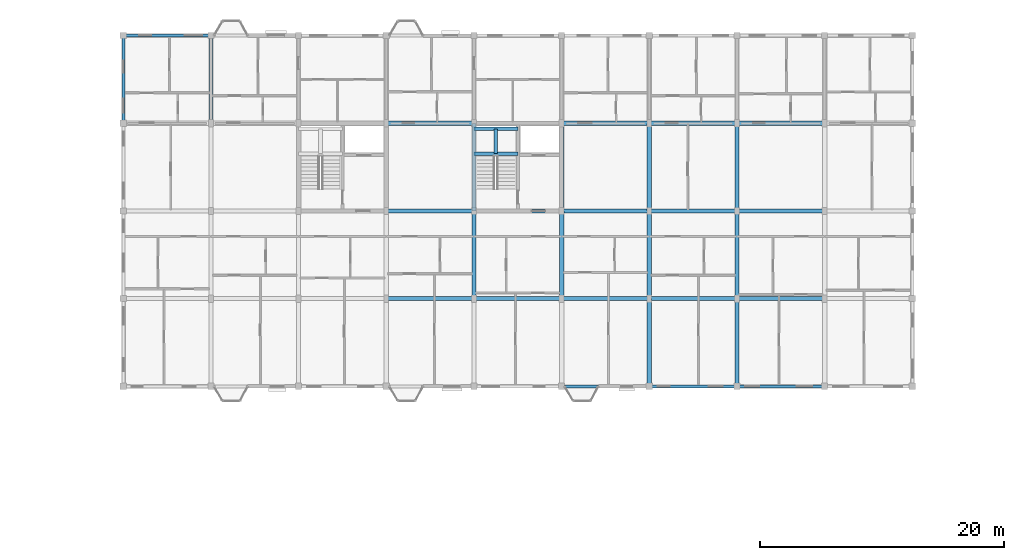
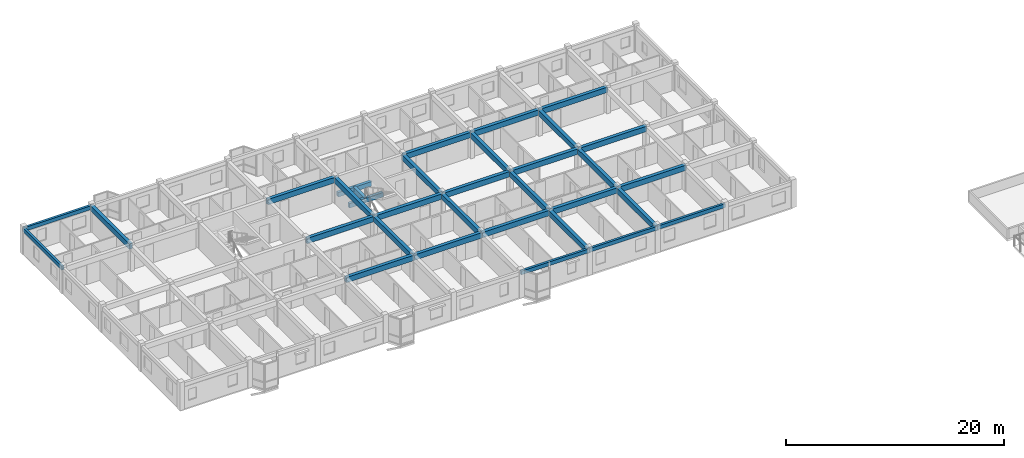
# One storey, part 37 of 70: 33 beams.
"""IFC4 building model written with IfcOpenShell, lengths in metres."""

from ifc_helpers import new_model, si_unit, direction, frame, origin, origin_2d, place, context, subcontext, project, spatial, rectangle, extrude, material, material_profile, profile_set, type_object, element, save


model = new_model("IFC4")

# Units and contexts
model_context = context("Model", 3, precision=1e-05, world=origin(), true_north=direction((0.0, 1.0)))
body_context = subcontext(model_context, "Body", "Model", "MODEL_VIEW")
ifc_project = project(units=[si_unit("LENGTHUNIT", "METRE"), si_unit("AREAUNIT", "SQUARE_METRE"), si_unit("VOLUMEUNIT", "CUBIC_METRE"), si_unit("PLANEANGLEUNIT", "RADIAN"), si_unit("MASSUNIT", "GRAM", prefix="KILO"), si_unit("THERMODYNAMICTEMPERATUREUNIT", "KELVIN"), si_unit("POWERUNIT", "WATT")], contexts=[model_context])

# Site, building, storey
site_placement = place(None, origin())
site = spatial("IfcSite", under=ifc_project, at=site_placement, CompositionType="ELEMENT")
building_placement = place(site_placement, origin())
building = spatial("IfcBuilding", under=site, at=building_placement, Name="Tavuni Mirador Residences", CompositionType="ELEMENT")
storey_placement = place(building_placement, frame((0.0, 0.0, 23.39990234375)))
storey = spatial("IfcBuildingStorey", under=building, at=storey_placement, Name="L07", CompositionType="ELEMENT", Elevation=23.39990234375)

# Beams
ifc_material = material(Name="Precast concrete C40/50", Category="concrete")
ifc_material_profile_1 = material_profile(ifc_material, rectangle(XDim=0.300048828125, YDim=0.5, at=origin_2d()), Name="PC 300x500", Category="concrete")
ifc_profile_set_1 = profile_set([ifc_material_profile_1], Name="Precast concrete C40/50")
beam_type_1 = type_object("IfcBeamType", Name="BT-B500", PredefinedType="BEAM", material=ifc_profile_set_1)
for number, where, z_axis, x_axis, name in (
    (1, (39.60009765625, 163.10009765625, 1.14501953125), (1.0, 0.0, 0.0), (0.0, 1.0, 0.0), "HLB1-C6-L07"),
    (2, (39.60009765625, 165.14990234375, 1.14501953125), (1.0, 0.0, 0.0), (0.0, 1.0, 0.0), "HLB2-C6-L07"),
):
    element("IfcBeam", number, at=place(storey_placement, frame(where, z_axis=z_axis, x_axis=x_axis)), inside=storey, type_object=beam_type_1, Name=name, PredefinedType="BEAM", context=body_context, shape_type="SweptSolid", body=[
        extrude(rectangle(XDim=0.300048828125, YDim=0.5, at=origin_2d()), origin(), (0.0, 0.0, 1.0), 3.599853515625),
    ])
beam_1_placement = place(storey_placement, frame((41.39990234375, 163.10009765625, 1.14501953125), z_axis=(0.0, 1.0, 0.0), x_axis=(-1.0, 0.0, 0.0)))
element("IfcBeam", 3, at=beam_1_placement, inside=storey, type_object=beam_type_1, Name="HLB3-C6-L07", PredefinedType="BEAM", context=body_context, shape_type="SweptSolid", body=[
    extrude(rectangle(XDim=0.300048828125, YDim=0.5, at=origin_2d()), origin(), (0.0, 0.0, 1.0), 2.0498046875),
])
ifc_material_profile_2 = material_profile(ifc_material, rectangle(XDim=0.35009765625, YDim=0.60009765625, at=origin_2d()), Name="PC 350x600", Category="concrete")
ifc_profile_set_2 = profile_set([ifc_material_profile_2], Name="Precast concrete C40/50")
beam_type_2 = type_object("IfcBeamType", Name="BT-B600", PredefinedType="BEAM", material=ifc_profile_set_2)
beam_2_placement = place(storey_placement, frame((32.39990234375, 151.199951171875, 2.585205078125), z_axis=(1.0, 0.0, 0.0), x_axis=(0.0, 1.0, 0.0)))
element("IfcBeam", 4, at=beam_2_placement, inside=storey, type_object=beam_type_2, Name="BMX-BLK-C-L07-03-01", PredefinedType="BEAM", context=body_context, shape_type="SweptSolid", body=[
    extrude(rectangle(XDim=0.35009765625, YDim=0.60009765625, at=origin_2d()), origin(), (0.0, 0.0, 1.0), 7.2001953125),
])
for number, where, z_axis, x_axis, name in (
    (5, (39.60009765625, 151.199951171875, 2.585205078125), (1.0, 0.0, 0.0), (0.0, 1.0, 0.0), "BMX-BLK-C-L07-04-01"),
    (6, (46.800048828125, 151.199951171875, 2.585205078125), (1.0, 0.0, 0.0), (0.0, 1.0, 0.0), "BMX-BLK-C-L07-05-01"),
    (7, (54.0, 151.199951171875, 2.585205078125), (1.0, 0.0, 0.0), (0.0, 1.0, 0.0), "BMX-BLK-C-L07-06-01"),
    (8, (61.199951171875, 151.199951171875, 2.585205078125), (1.0, 0.0, 0.0), (0.0, 1.0, 0.0), "BMX-BLK-C-L07-07-01"),
):
    element("IfcBeam", number, at=place(storey_placement, frame(where, z_axis=z_axis, x_axis=x_axis)), inside=storey, type_object=beam_type_2, Name=name, PredefinedType="BEAM", context=body_context, shape_type="SweptSolid", body=[
        extrude(rectangle(XDim=0.35009765625, YDim=0.60009765625, at=origin_2d()), origin(), (0.0, 0.0, 1.0), 7.199951171875),
    ])
beam_3_placement = place(storey_placement, frame((32.39990234375, 158.39990234375, 2.585205078125), z_axis=(1.0, 0.0, 0.0), x_axis=(0.0, 1.0, 0.0)))
element("IfcBeam", 9, at=beam_3_placement, inside=storey, type_object=beam_type_2, Name="BMX-BLK-C-L07-03-02", PredefinedType="BEAM", context=body_context, shape_type="SweptSolid", body=[
    extrude(rectangle(XDim=0.35009765625, YDim=0.60009765625, at=origin_2d()), origin(), (0.0, 0.0, 1.0), 7.2001953125),
])
for number, where, z_axis, x_axis, name in (
    (10, (39.60009765625, 158.39990234375, 2.585205078125), (1.0, 0.0, 0.0), (0.0, 1.0, 0.0), "BMX-BLK-C-L07-04-02"),
    (11, (46.800048828125, 158.39990234375, 2.585205078125), (1.0, 0.0, 0.0), (0.0, 1.0, 0.0), "BMX-BLK-C-L07-05-02"),
    (12, (54.0, 158.39990234375, 2.585205078125), (1.0, 0.0, 0.0), (0.0, 1.0, 0.0), "BMX-BLK-C-L07-06-02"),
    (13, (61.199951171875, 158.39990234375, 2.585205078125), (1.0, 0.0, 0.0), (0.0, 1.0, 0.0), "BMX-BLK-C-L07-07-02"),
):
    element("IfcBeam", number, at=place(storey_placement, frame(where, z_axis=z_axis, x_axis=x_axis)), inside=storey, type_object=beam_type_2, Name=name, PredefinedType="BEAM", context=body_context, shape_type="SweptSolid", body=[
        extrude(rectangle(XDim=0.35009765625, YDim=0.60009765625, at=origin_2d()), origin(), (0.0, 0.0, 1.0), 7.199951171875),
    ])
beam_4_placement = place(storey_placement, frame((32.39990234375, 165.60009765625, 2.585205078125), z_axis=(1.0, 0.0, 0.0), x_axis=(0.0, 1.0, 0.0)))
element("IfcBeam", 14, at=beam_4_placement, inside=storey, type_object=beam_type_2, Name="BMX-BLK-C-L07-03-03", PredefinedType="BEAM", context=body_context, shape_type="SweptSolid", body=[
    extrude(rectangle(XDim=0.35009765625, YDim=0.60009765625, at=origin_2d()), origin(), (0.0, 0.0, 1.0), 7.2001953125),
])
for number, where, z_axis, x_axis, name in (
    (15, (46.800048828125, 165.60009765625, 2.585205078125), (1.0, 0.0, 0.0), (0.0, 1.0, 0.0), "BMX-BLK-C-L07-05-03"),
    (16, (54.0, 165.60009765625, 2.585205078125), (1.0, 0.0, 0.0), (0.0, 1.0, 0.0), "BMX-BLK-C-L07-06-03"),
    (17, (61.199951171875, 165.60009765625, 2.585205078125), (1.0, 0.0, 0.0), (0.0, 1.0, 0.0), "BMX-BLK-C-L07-07-03"),
    (18, (18.0, 165.60009765625, 2.585205078125), (0.0, 1.0, 0.0), (-1.0, 0.0, 0.0), "BMY-BLK-C-L07-01-03"),
    (19, (39.60009765625, 151.199951171875, 2.585205078125), (0.0, 1.0, 0.0), (-1.0, 0.0, 0.0), "BMY-BLK-C-L07-04-01"),
):
    element("IfcBeam", number, at=place(storey_placement, frame(where, z_axis=z_axis, x_axis=x_axis)), inside=storey, type_object=beam_type_2, Name=name, PredefinedType="BEAM", context=body_context, shape_type="SweptSolid", body=[
        extrude(rectangle(XDim=0.35009765625, YDim=0.60009765625, at=origin_2d()), origin(), (0.0, 0.0, 1.0), 7.199951171875),
    ])
beam_5_placement = place(storey_placement, frame((39.60009765625, 158.39990234375, 2.585205078125), z_axis=(0.0, 1.0, 0.0), x_axis=(-1.0, 0.0, 0.0)))
element("IfcBeam", 20, at=beam_5_placement, inside=storey, type_object=beam_type_2, Name="BMY-BLK-C-L07-04-02", PredefinedType="BEAM", context=body_context, shape_type="SweptSolid", body=[
    extrude(rectangle(XDim=0.35009765625, YDim=0.60009765625, at=origin_2d()), origin(), (0.0, 0.0, 1.0), 7.2001953125),
])
beam_6_placement = place(storey_placement, frame((46.800048828125, 151.199951171875, 2.585205078125), z_axis=(0.0, 1.0, 0.0), x_axis=(-1.0, 0.0, 0.0)))
element("IfcBeam", 21, at=beam_6_placement, inside=storey, type_object=beam_type_2, Name="BMY-BLK-C-L07-05-01", PredefinedType="BEAM", context=body_context, shape_type="SweptSolid", body=[
    extrude(rectangle(XDim=0.35009765625, YDim=0.60009765625, at=origin_2d()), origin(), (0.0, 0.0, 1.0), 7.199951171875),
])
beam_7_placement = place(storey_placement, frame((46.800048828125, 158.39990234375, 2.585205078125), z_axis=(0.0, 1.0, 0.0), x_axis=(-1.0, 0.0, 0.0)))
element("IfcBeam", 22, at=beam_7_placement, inside=storey, type_object=beam_type_2, Name="BMY-BLK-C-L07-05-02", PredefinedType="BEAM", context=body_context, shape_type="SweptSolid", body=[
    extrude(rectangle(XDim=0.35009765625, YDim=0.60009765625, at=origin_2d()), origin(), (0.0, 0.0, 1.0), 7.2001953125),
])
for number, where, z_axis, x_axis, name in (
    (23, (54.0, 144.0, 2.585205078125), (0.0, 1.0, 0.0), (-1.0, 0.0, 0.0), "BMY-BLK-C-L07-06-00"),
    (24, (54.0, 151.199951171875, 2.585205078125), (0.0, 1.0, 0.0), (-1.0, 0.0, 0.0), "BMY-BLK-C-L07-06-01"),
):
    element("IfcBeam", number, at=place(storey_placement, frame(where, z_axis=z_axis, x_axis=x_axis)), inside=storey, type_object=beam_type_2, Name=name, PredefinedType="BEAM", context=body_context, shape_type="SweptSolid", body=[
        extrude(rectangle(XDim=0.35009765625, YDim=0.60009765625, at=origin_2d()), origin(), (0.0, 0.0, 1.0), 7.199951171875),
    ])
beam_8_placement = place(storey_placement, frame((54.0, 158.39990234375, 2.585205078125), z_axis=(0.0, 1.0, 0.0), x_axis=(-1.0, 0.0, 0.0)))
element("IfcBeam", 25, at=beam_8_placement, inside=storey, type_object=beam_type_2, Name="BMY-BLK-C-L07-06-02", PredefinedType="BEAM", context=body_context, shape_type="SweptSolid", body=[
    extrude(rectangle(XDim=0.35009765625, YDim=0.60009765625, at=origin_2d()), origin(), (0.0, 0.0, 1.0), 7.2001953125),
])
for number, where, z_axis, x_axis, name in (
    (26, (61.199951171875, 144.0, 2.585205078125), (0.0, 1.0, 0.0), (-1.0, 0.0, 0.0), "BMY-BLK-C-L07-07-00"),
    (27, (61.199951171875, 151.199951171875, 2.585205078125), (0.0, 1.0, 0.0), (-1.0, 0.0, 0.0), "BMY-BLK-C-L07-07-01"),
):
    element("IfcBeam", number, at=place(storey_placement, frame(where, z_axis=z_axis, x_axis=x_axis)), inside=storey, type_object=beam_type_2, Name=name, PredefinedType="BEAM", context=body_context, shape_type="SweptSolid", body=[
        extrude(rectangle(XDim=0.35009765625, YDim=0.60009765625, at=origin_2d()), origin(), (0.0, 0.0, 1.0), 7.199951171875),
    ])
beam_9_placement = place(storey_placement, frame((61.199951171875, 158.39990234375, 2.585205078125), z_axis=(0.0, 1.0, 0.0), x_axis=(-1.0, 0.0, 0.0)))
element("IfcBeam", 28, at=beam_9_placement, inside=storey, type_object=beam_type_2, Name="BMY-BLK-C-L07-07-02", PredefinedType="BEAM", context=body_context, shape_type="SweptSolid", body=[
    extrude(rectangle(XDim=0.35009765625, YDim=0.60009765625, at=origin_2d()), origin(), (0.0, 0.0, 1.0), 7.2001953125),
])
ifc_material_profile_3 = material_profile(ifc_material, rectangle(XDim=0.25, YDim=0.419921875, at=origin_2d()), Name="PC 250x420", Category="concrete")
ifc_profile_set_3 = profile_set([ifc_material_profile_3], Name="Precast concrete C40/50")
beam_type_3 = type_object("IfcBeamType", Name="BT-SP420", PredefinedType="SPANDREL", material=ifc_profile_set_3)
for number, where, z_axis, x_axis, name in (
    (29, (46.800048828125, 144.0, 2.675048828125), (1.0, 0.0, 0.0), (0.0, 1.0, 0.0), "BMX-BLK-C-L07-05-00"),
    (30, (54.0, 144.0, 2.675048828125), (1.0, 0.0, 0.0), (0.0, 1.0, 0.0), "BMX-BLK-C-L07-06-00"),
    (31, (61.199951171875, 144.0, 2.675048828125), (1.0, 0.0, 0.0), (0.0, 1.0, 0.0), "BMX-BLK-C-L07-07-00"),
    (32, (10.800048828125, 172.800048828125, 2.675048828125), (1.0, 0.0, 0.0), (0.0, 1.0, 0.0), "BMX-BLK-C-L07-00-04"),
    (33, (10.800048828125, 165.60009765625, 2.675048828125), (0.0, 1.0, 0.0), (-1.0, 0.0, 0.0), "BMY-BLK-C-L07-00-03"),
):
    element("IfcBeam", number, at=place(storey_placement, frame(where, z_axis=z_axis, x_axis=x_axis)), inside=storey, type_object=beam_type_3, Name=name, PredefinedType="SPANDREL", context=body_context, shape_type="SweptSolid", body=[
        extrude(rectangle(XDim=0.25, YDim=0.419921875, at=origin_2d()), origin(), (0.0, 0.0, 1.0), 7.199951171875),
    ])

save(model, "model.ifc")
